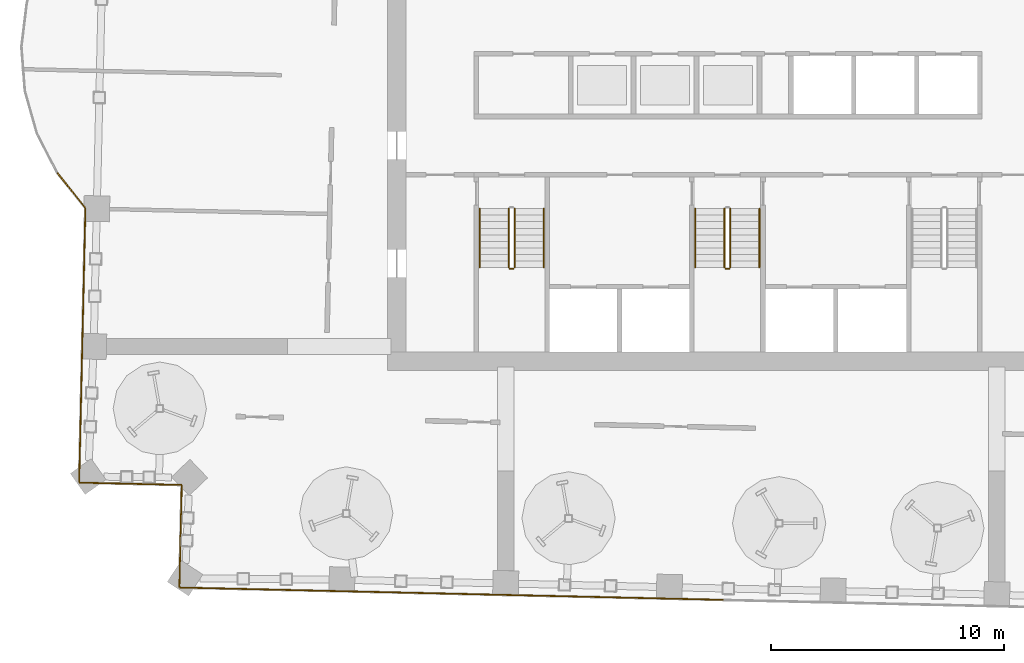
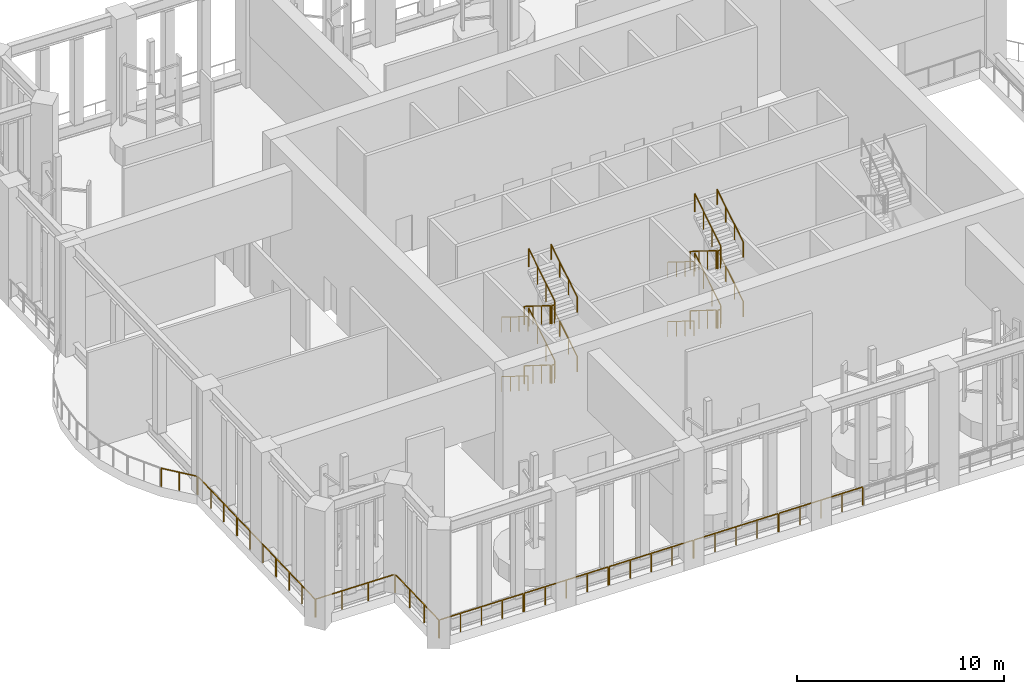
# One storey, part 28 of 33: 31 railings.
"""IFC4 building model written with IfcOpenShell, lengths in metres."""

from ifc_helpers import new_model, si_unit, direction, frame, origin, origin_2d, place, context, subcontext, project, spatial, rectangle, circle, extrude, material, type_object, element, save


model = new_model("IFC4")

# Units and contexts
model_context = context("Model", 3, precision=1e-05, world=origin(), true_north=direction((0.0, 1.0)))
body_context = subcontext(model_context, "Body", "Model", "MODEL_VIEW")
ifc_project = project(units=[si_unit("LENGTHUNIT", "METRE"), si_unit("AREAUNIT", "SQUARE_METRE"), si_unit("VOLUMEUNIT", "CUBIC_METRE"), si_unit("PLANEANGLEUNIT", "RADIAN"), si_unit("MASSUNIT", "GRAM", prefix="KILO")], contexts=[model_context])

# Site, building, storey
site_placement = place(None, origin())
site = spatial("IfcSite", under=ifc_project, at=site_placement, CompositionType="ELEMENT")
building_placement = place(site_placement, origin())
building = spatial("IfcBuilding", under=site, at=building_placement, Name="Mangrove Gate Tower", CompositionType="ELEMENT")
storey_placement = place(building_placement, frame((0.0, 0.0, 219.5)))
storey = spatial("IfcBuildingStorey", under=building, at=storey_placement, Name="L56", CompositionType="ELEMENT", Elevation=219.5)

# Railings
ifc_material_1 = material(Name="Stainless steel grade 316 with laminated glass infill", Category="steel")
railing_type_1 = type_object("IfcRailingType", Name="Balcony guard 1100", PredefinedType="GUARDRAIL", material=ifc_material_1)
railing_1_placement = place(storey_placement, frame((-28.7490234375, -3.135009765625, 0.0)))
element("IfcRailing", 1, at=railing_1_placement, inside=storey, type_object=railing_type_1, Name="GUARD L56 slot 38", PredefinedType="GUARDRAIL", context=body_context, shape_type="SweptSolid", body=[
    extrude(rectangle(XDim=0.048095703125, YDim=0.048095703125, at=origin_2d()), frame((0.0, 0.0, 1.076171875), z_axis=(0.625523169708, -0.780205590956, 0.0), x_axis=(0.780205590956, 0.625523169708, 0.0)), (0.0, 0.0, 1.0), 1.86865234375),
    extrude(rectangle(XDim=0.0419921875, YDim=0.0419921875, at=origin_2d()), origin(), (0.0, 0.0, 1.0), 1.052001953125),
    extrude(rectangle(XDim=0.0419921875, YDim=0.0419921875, at=origin_2d()), frame((0.58447265625, -0.72900390625, 0.0)), (0.0, 0.0, 1.0), 1.052001953125),
    extrude(rectangle(XDim=0.0419921875, YDim=0.0419921875, at=origin_2d()), frame((1.1689453125, -1.4580078125, 0.0)), (0.0, 0.0, 1.0), 1.052001953125),
])
railing_2_placement = place(storey_placement, frame((-27.56201171875, -4.64599609375, 0.0)))
element("IfcRailing", 2, at=railing_2_placement, inside=storey, type_object=railing_type_1, Name="GUARD L56 slot 39", PredefinedType="GUARDRAIL", context=body_context, shape_type="SweptSolid", body=[
    extrude(rectangle(XDim=0.048095703125, YDim=0.048095703125, at=origin_2d()), frame((0.0, 0.0, 1.076171875), z_axis=(-0.022464820913, -0.999747634066, 0.0), x_axis=(0.999747634066, -0.022464820913, 0.0)), (0.0, 0.0, 1.0), 3.868896484375),
    extrude(rectangle(XDim=0.0419921875, YDim=0.0419921875, at=origin_2d()), origin(), (0.0, 0.0, 1.0), 1.052001953125),
    extrude(rectangle(XDim=0.0419921875, YDim=0.0419921875, at=origin_2d()), frame((-0.029052734375, -1.289306640625, 0.0)), (0.0, 0.0, 1.0), 1.052001953125),
    extrude(rectangle(XDim=0.0419921875, YDim=0.0419921875, at=origin_2d()), frame((-0.057861328125, -2.57861328125, 0.0)), (0.0, 0.0, 1.0), 1.052001953125),
    extrude(rectangle(XDim=0.0419921875, YDim=0.0419921875, at=origin_2d()), frame((-0.0869140625, -3.867919921875, 0.0)), (0.0, 0.0, 1.0), 1.052001953125),
])
railing_3_placement = place(storey_placement, frame((-27.65087890625, -8.573974609375, 0.0)))
element("IfcRailing", 3, at=railing_3_placement, inside=storey, type_object=railing_type_1, Name="GUARD L56 slot 40", PredefinedType="GUARDRAIL", context=body_context, shape_type="SweptSolid", body=[
    extrude(rectangle(XDim=0.048095703125, YDim=0.048095703125, at=origin_2d()), frame((0.0, 0.0, 1.076171875), z_axis=(-0.022527892362, -0.999746214829, 0.0), x_axis=(0.999746214829, -0.022527892362, 0.0)), (0.0, 0.0, 1.0), 3.868896484375),
    extrude(rectangle(XDim=0.0419921875, YDim=0.0419921875, at=origin_2d()), origin(), (0.0, 0.0, 1.0), 1.052001953125),
    extrude(rectangle(XDim=0.0419921875, YDim=0.0419921875, at=origin_2d()), frame((-0.029052734375, -1.289306640625, 0.0)), (0.0, 0.0, 1.0), 1.052001953125),
    extrude(rectangle(XDim=0.0419921875, YDim=0.0419921875, at=origin_2d()), frame((-0.05810546875, -2.57861328125, 0.0)), (0.0, 0.0, 1.0), 1.052001953125),
    extrude(rectangle(XDim=0.0419921875, YDim=0.0419921875, at=origin_2d()), frame((-0.087158203125, -3.867919921875, 0.0)), (0.0, 0.0, 1.0), 1.052001953125),
])
railing_4_placement = place(storey_placement, frame((-27.739990234375, -12.501953125, 0.0)))
element("IfcRailing", 4, at=railing_4_placement, inside=storey, type_object=railing_type_1, Name="GUARD L56 slot 41", PredefinedType="GUARDRAIL", context=body_context, shape_type="SweptSolid", body=[
    extrude(rectangle(XDim=0.048095703125, YDim=0.048095703125, at=origin_2d()), frame((0.0, 0.0, 1.076171875), z_axis=(-0.022715672034, -0.999741965831, 0.0), x_axis=(0.999741965831, -0.022715672034, 0.0)), (0.0, 0.0, 1.0), 3.869140625),
    extrude(rectangle(XDim=0.0419921875, YDim=0.0419921875, at=origin_2d()), origin(), (0.0, 0.0, 1.0), 1.052001953125),
    extrude(rectangle(XDim=0.0419921875, YDim=0.0419921875, at=origin_2d()), frame((-0.029296875, -1.289306640625, 0.0)), (0.0, 0.0, 1.0), 1.052001953125),
    extrude(rectangle(XDim=0.0419921875, YDim=0.0419921875, at=origin_2d()), frame((-0.05859375, -2.578857421875, 0.0)), (0.0, 0.0, 1.0), 1.052001953125),
    extrude(rectangle(XDim=0.0419921875, YDim=0.0419921875, at=origin_2d()), frame((-0.087890625, -3.8681640625, 0.0)), (0.0, 0.0, 1.0), 1.052001953125),
])
railing_5_placement = place(storey_placement, frame((-27.798095703125, -16.39990234375, 0.0)))
element("IfcRailing", 5, at=railing_5_placement, inside=storey, type_object=railing_type_1, Name="GUARD L56 slot 42", PredefinedType="GUARDRAIL", context=body_context, shape_type="SweptSolid", body=[
    extrude(rectangle(XDim=0.048095703125, YDim=0.048095703125, at=origin_2d()), frame((0.0, 0.0, 1.076171875), z_axis=(0.999739186145, -0.02283768129, 0.0), x_axis=(0.02283768129, 0.999739186145, 0.0)), (0.0, 0.0, 1.0), 4.34033203125),
    extrude(rectangle(XDim=0.0419921875, YDim=0.0419921875, at=origin_2d()), origin(), (0.0, 0.0, 1.0), 1.052001953125),
    extrude(rectangle(XDim=0.0419921875, YDim=0.0419921875, at=origin_2d()), frame((1.4462890625, -0.032958984375, 0.0)), (0.0, 0.0, 1.0), 1.052001953125),
    extrude(rectangle(XDim=0.0419921875, YDim=0.0419921875, at=origin_2d()), frame((2.892822265625, -0.066162109375, 0.0)), (0.0, 0.0, 1.0), 1.052001953125),
    extrude(rectangle(XDim=0.0419921875, YDim=0.0419921875, at=origin_2d()), frame((4.339111328125, -0.09912109375, 0.0)), (0.0, 0.0, 1.0), 1.052001953125),
])
railing_6_placement = place(storey_placement, frame((-23.429931640625, -16.529052734375, 0.0)))
element("IfcRailing", 6, at=railing_6_placement, inside=storey, type_object=railing_type_1, Name="GUARD L56 slot 43", PredefinedType="GUARDRAIL", context=body_context, shape_type="SweptSolid", body=[
    extrude(rectangle(XDim=0.048095703125, YDim=0.048095703125, at=origin_2d()), frame((0.0, 0.0, 1.076171875), z_axis=(-0.022838965657, -0.999739156804, 0.0), x_axis=(0.999739156804, -0.022838965657, 0.0)), (0.0, 0.0, 1.0), 4.340087890625),
    extrude(rectangle(XDim=0.0419921875, YDim=0.0419921875, at=origin_2d()), origin(), (0.0, 0.0, 1.0), 1.052001953125),
    extrude(rectangle(XDim=0.0419921875, YDim=0.0419921875, at=origin_2d()), frame((-0.032958984375, -1.4462890625, 0.0)), (0.0, 0.0, 1.0), 1.052001953125),
    extrude(rectangle(XDim=0.0419921875, YDim=0.0419921875, at=origin_2d()), frame((-0.066162109375, -2.892578125, 0.0)), (0.0, 0.0, 1.0), 1.052001953125),
    extrude(rectangle(XDim=0.0419921875, YDim=0.0419921875, at=origin_2d()), frame((-0.09912109375, -4.3388671875, 0.0)), (0.0, 0.0, 1.0), 1.052001953125),
])
railing_7_placement = place(storey_placement, frame((-23.4990234375, -20.89892578125, 0.0)))
element("IfcRailing", 7, at=railing_7_placement, inside=storey, type_object=railing_type_1, Name="GUARD L56 slot 44", PredefinedType="GUARDRAIL", context=body_context, shape_type="SweptSolid", body=[
    extrude(rectangle(XDim=0.048095703125, YDim=0.048095703125, at=origin_2d()), frame((0.0, 0.0, 1.076171875), z_axis=(0.999740576097, -0.022776753615, 0.0), x_axis=(0.022776753615, 0.999740576097, 0.0)), (0.0, 0.0, 1.0), 4.609130859375),
    extrude(rectangle(XDim=0.0419921875, YDim=0.0419921875, at=origin_2d()), origin(), (0.0, 0.0, 1.0), 1.052001953125),
    extrude(rectangle(XDim=0.0419921875, YDim=0.0419921875, at=origin_2d()), frame((1.15185546875, -0.0263671875, 0.0)), (0.0, 0.0, 1.0), 1.052001953125),
    extrude(rectangle(XDim=0.0419921875, YDim=0.0419921875, at=origin_2d()), frame((2.303955078125, -0.052490234375, 0.0)), (0.0, 0.0, 1.0), 1.052001953125),
    extrude(rectangle(XDim=0.0419921875, YDim=0.0419921875, at=origin_2d()), frame((3.4560546875, -0.07861328125, 0.0)), (0.0, 0.0, 1.0), 1.052001953125),
    extrude(rectangle(XDim=0.0419921875, YDim=0.0419921875, at=origin_2d()), frame((4.60791015625, -0.10498046875, 0.0)), (0.0, 0.0, 1.0), 1.052001953125),
])
for number, where, name in (
    (8, (-18.8310546875, -21.0048828125, 0.0), "GUARD L56 slot 45"),
    (9, (-14.1630859375, -21.111083984375, 0.0), "GUARD L56 slot 46"),
    (10, (-9.4951171875, -21.217041015625, 0.0), "GUARD L56 slot 47"),
):
    element("IfcRailing", number, at=place(storey_placement, frame(where)), inside=storey, type_object=railing_type_1, Name=name, PredefinedType="GUARDRAIL", context=body_context, shape_type="SweptSolid", body=[
        extrude(rectangle(XDim=0.048095703125, YDim=0.048095703125, at=origin_2d()), frame((0.0, 0.0, 1.076171875), z_axis=(0.999745405274, -0.022563790339, 0.0), x_axis=(0.022563790339, 0.999745405274, 0.0)), (0.0, 0.0, 1.0), 4.609375),
        extrude(rectangle(XDim=0.0419921875, YDim=0.0419921875, at=origin_2d()), origin(), (0.0, 0.0, 1.0), 1.052001953125),
        extrude(rectangle(XDim=0.0419921875, YDim=0.0419921875, at=origin_2d()), frame((1.152099609375, -0.02587890625, 0.0)), (0.0, 0.0, 1.0), 1.052001953125),
        extrude(rectangle(XDim=0.0419921875, YDim=0.0419921875, at=origin_2d()), frame((2.30419921875, -0.052001953125, 0.0)), (0.0, 0.0, 1.0), 1.052001953125),
        extrude(rectangle(XDim=0.0419921875, YDim=0.0419921875, at=origin_2d()), frame((3.4560546875, -0.078125, 0.0)), (0.0, 0.0, 1.0), 1.052001953125),
        extrude(rectangle(XDim=0.0419921875, YDim=0.0419921875, at=origin_2d()), frame((4.608154296875, -0.10400390625, 0.0)), (0.0, 0.0, 1.0), 1.052001953125),
    ])
railing_8_placement = place(storey_placement, frame((-4.826904296875, -21.322998046875, 0.0)))
element("IfcRailing", 11, at=railing_8_placement, inside=storey, type_object=railing_type_1, Name="GUARD L56 slot 48", PredefinedType="GUARDRAIL", context=body_context, shape_type="SweptSolid", body=[
    extrude(rectangle(XDim=0.048095703125, YDim=0.048095703125, at=origin_2d()), frame((0.0, 0.0, 1.076171875), z_axis=(0.999745378305, -0.022564985226, 0.0), x_axis=(0.022564985226, 0.999745378305, 0.0)), (0.0, 0.0, 1.0), 4.609130859375),
    extrude(rectangle(XDim=0.0419921875, YDim=0.0419921875, at=origin_2d()), origin(), (0.0, 0.0, 1.0), 1.052001953125),
    extrude(rectangle(XDim=0.0419921875, YDim=0.0419921875, at=origin_2d()), frame((1.15185546875, -0.02587890625, 0.0)), (0.0, 0.0, 1.0), 1.052001953125),
    extrude(rectangle(XDim=0.0419921875, YDim=0.0419921875, at=origin_2d()), frame((2.303955078125, -0.052001953125, 0.0)), (0.0, 0.0, 1.0), 1.052001953125),
    extrude(rectangle(XDim=0.0419921875, YDim=0.0419921875, at=origin_2d()), frame((3.4560546875, -0.078125, 0.0)), (0.0, 0.0, 1.0), 1.052001953125),
    extrude(rectangle(XDim=0.0419921875, YDim=0.0419921875, at=origin_2d()), frame((4.60791015625, -0.10400390625, 0.0)), (0.0, 0.0, 1.0), 1.052001953125),
])
ifc_material_2 = material(Name="Stainless steel 316", Category="steel")
railing_type_2 = type_object("IfcRailingType", Name="Core stair guard 1100", PredefinedType="GUARDRAIL", material=ifc_material_2)
railing_9_placement = place(storey_placement, frame((-9.39990234375, -4.64990234375, 0.175048828125)))
element("IfcRailing", 12, at=railing_9_placement, inside=storey, type_object=railing_type_2, Name="L56 ST1 stair guard 1", PredefinedType="GUARDRAIL", context=body_context, shape_type="SweptSolid", body=[
    extrude(rectangle(XDim=0.048095703125, YDim=0.048095703125, at=origin_2d()), frame((0.0, 0.0, 1.076171875), z_axis=(0.0, -0.848007534815, 0.529984170421), x_axis=(1.0, 0.0, 0.0)), (0.0, 0.0, 1.0), 2.9716796875),
    extrude(rectangle(XDim=0.0419921875, YDim=0.0419921875, at=origin_2d()), origin(), (0.0, 0.0, 1.0), 1.052001953125),
    extrude(rectangle(XDim=0.0419921875, YDim=0.0419921875, at=origin_2d()), frame((0.0, -0.840087890625, 0.52490234375)), (0.0, 0.0, 1.0), 1.052001953125),
    extrude(rectangle(XDim=0.0419921875, YDim=0.0419921875, at=origin_2d()), frame((0.0, -1.679931640625, 1.050048828125)), (0.0, 0.0, 1.0), 1.052001953125),
    extrude(rectangle(XDim=0.0419921875, YDim=0.0419921875, at=origin_2d()), frame((0.0, -2.52001953125, 1.574951171875)), (0.0, 0.0, 1.0), 1.052001953125),
])
railing_10_placement = place(storey_placement, frame((-9.35009765625, -7.219970703125, 1.75)))
element("IfcRailing", 13, at=railing_10_placement, inside=storey, type_object=railing_type_2, Name="L56 ST1 stair guard 2", PredefinedType="GUARDRAIL", context=body_context, shape_type="SweptSolid", body=[
    extrude(rectangle(XDim=0.048095703125, YDim=0.048095703125, at=origin_2d()), frame((0.0, 0.0, 1.076171875), z_axis=(1.0, 0.0, 0.0), x_axis=(0.0, 1.0, 0.0)), (0.0, 0.0, 1.0), 0.150146484375),
    extrude(rectangle(XDim=0.0419921875, YDim=0.0419921875, at=origin_2d()), origin(), (0.0, 0.0, 1.0), 1.052001953125),
    extrude(rectangle(XDim=0.0419921875, YDim=0.0419921875, at=origin_2d()), frame((0.150146484375, 0.0, 0.0)), (0.0, 0.0, 1.0), 1.052001953125),
])
railing_11_placement = place(storey_placement, frame((-9.14990234375, -7.169921875, 1.925048828125)))
element("IfcRailing", 14, at=railing_11_placement, inside=storey, type_object=railing_type_2, Name="L56 ST1 stair guard 3", PredefinedType="GUARDRAIL", context=body_context, shape_type="SweptSolid", body=[
    extrude(rectangle(XDim=0.048095703125, YDim=0.048095703125, at=origin_2d()), frame((0.0, 0.0, 1.076171875), z_axis=(0.0, 0.848007534815, 0.529984170421), x_axis=(-1.0, 0.0, 0.0)), (0.0, 0.0, 1.0), 2.9716796875),
    extrude(rectangle(XDim=0.0419921875, YDim=0.0419921875, at=origin_2d()), origin(), (0.0, 0.0, 1.0), 1.052001953125),
    extrude(rectangle(XDim=0.0419921875, YDim=0.0419921875, at=origin_2d()), frame((0.0, 0.840087890625, 0.52490234375)), (0.0, 0.0, 1.0), 1.052001953125),
    extrude(rectangle(XDim=0.0419921875, YDim=0.0419921875, at=origin_2d()), frame((0.0, 1.679931640625, 1.050048828125)), (0.0, 0.0, 1.0), 1.052001953125),
    extrude(rectangle(XDim=0.0419921875, YDim=0.0419921875, at=origin_2d()), frame((0.0, 2.52001953125, 1.574951171875)), (0.0, 0.0, 1.0), 1.052001953125),
])
railing_12_placement = place(storey_placement, frame((-9.39990234375, -4.64990234375, 3.675048828125)))
element("IfcRailing", 15, at=railing_12_placement, inside=storey, type_object=railing_type_2, Name="L56 ST1 stair guard 5", PredefinedType="GUARDRAIL", context=body_context, shape_type="SweptSolid", body=[
    extrude(rectangle(XDim=0.048095703125, YDim=0.048095703125, at=origin_2d()), frame((0.0, 0.0, 1.076171875), z_axis=(0.0, -0.848007534815, 0.529984170421), x_axis=(1.0, 0.0, 0.0)), (0.0, 0.0, 1.0), 2.9716796875),
    extrude(rectangle(XDim=0.0419921875, YDim=0.0419921875, at=origin_2d()), origin(), (0.0, 0.0, 1.0), 1.052001953125),
    extrude(rectangle(XDim=0.0419921875, YDim=0.0419921875, at=origin_2d()), frame((0.0, -0.840087890625, 0.52490234375)), (0.0, 0.0, 1.0), 1.052001953125),
    extrude(rectangle(XDim=0.0419921875, YDim=0.0419921875, at=origin_2d()), frame((0.0, -1.679931640625, 1.050048828125)), (0.0, 0.0, 1.0), 1.052001953125),
    extrude(rectangle(XDim=0.0419921875, YDim=0.0419921875, at=origin_2d()), frame((0.0, -2.52001953125, 1.574951171875)), (0.0, 0.0, 1.0), 1.052001953125),
])
railing_13_placement = place(storey_placement, frame((-9.35009765625, -7.219970703125, 5.25)))
element("IfcRailing", 16, at=railing_13_placement, inside=storey, type_object=railing_type_2, Name="L56 ST1 stair guard 6", PredefinedType="GUARDRAIL", context=body_context, shape_type="SweptSolid", body=[
    extrude(rectangle(XDim=0.048095703125, YDim=0.048095703125, at=origin_2d()), frame((0.0, 0.0, 1.076171875), z_axis=(1.0, 0.0, 0.0), x_axis=(0.0, 1.0, 0.0)), (0.0, 0.0, 1.0), 0.150146484375),
    extrude(rectangle(XDim=0.0419921875, YDim=0.0419921875, at=origin_2d()), origin(), (0.0, 0.0, 1.0), 1.052001953125),
    extrude(rectangle(XDim=0.0419921875, YDim=0.0419921875, at=origin_2d()), frame((0.150146484375, 0.0, 0.0)), (0.0, 0.0, 1.0), 1.052001953125),
])
railing_14_placement = place(storey_placement, frame((-9.14990234375, -7.169921875, 5.425048828125)))
element("IfcRailing", 17, at=railing_14_placement, inside=storey, type_object=railing_type_2, Name="L56 ST1 stair guard 7", PredefinedType="GUARDRAIL", context=body_context, shape_type="SweptSolid", body=[
    extrude(rectangle(XDim=0.048095703125, YDim=0.048095703125, at=origin_2d()), frame((0.0, 0.0, 1.076171875), z_axis=(0.0, 0.848007534815, 0.529984170421), x_axis=(-1.0, 0.0, 0.0)), (0.0, 0.0, 1.0), 2.9716796875),
    extrude(rectangle(XDim=0.0419921875, YDim=0.0419921875, at=origin_2d()), origin(), (0.0, 0.0, 1.0), 1.052001953125),
    extrude(rectangle(XDim=0.0419921875, YDim=0.0419921875, at=origin_2d()), frame((0.0, 0.840087890625, 0.52490234375)), (0.0, 0.0, 1.0), 1.052001953125),
    extrude(rectangle(XDim=0.0419921875, YDim=0.0419921875, at=origin_2d()), frame((0.0, 1.679931640625, 1.050048828125)), (0.0, 0.0, 1.0), 1.052001953125),
    extrude(rectangle(XDim=0.0419921875, YDim=0.0419921875, at=origin_2d()), frame((0.0, 2.52001953125, 1.574951171875)), (0.0, 0.0, 1.0), 1.052001953125),
])
railing_15_placement = place(storey_placement, frame((-0.14990234375, -4.64990234375, 0.175048828125)))
element("IfcRailing", 18, at=railing_15_placement, inside=storey, type_object=railing_type_2, Name="L56 ST2 stair guard 1", PredefinedType="GUARDRAIL", context=body_context, shape_type="SweptSolid", body=[
    extrude(rectangle(XDim=0.048095703125, YDim=0.048095703125, at=origin_2d()), frame((0.0, 0.0, 1.076171875), z_axis=(0.0, -0.848007534815, 0.529984170421), x_axis=(1.0, 0.0, 0.0)), (0.0, 0.0, 1.0), 2.9716796875),
    extrude(rectangle(XDim=0.0419921875, YDim=0.0419921875, at=origin_2d()), origin(), (0.0, 0.0, 1.0), 1.052001953125),
    extrude(rectangle(XDim=0.0419921875, YDim=0.0419921875, at=origin_2d()), frame((0.0, -0.840087890625, 0.52490234375)), (0.0, 0.0, 1.0), 1.052001953125),
    extrude(rectangle(XDim=0.0419921875, YDim=0.0419921875, at=origin_2d()), frame((0.0, -1.679931640625, 1.050048828125)), (0.0, 0.0, 1.0), 1.052001953125),
    extrude(rectangle(XDim=0.0419921875, YDim=0.0419921875, at=origin_2d()), frame((0.0, -2.52001953125, 1.574951171875)), (0.0, 0.0, 1.0), 1.052001953125),
])
railing_16_placement = place(storey_placement, frame((-0.10009765625, -7.219970703125, 1.75)))
element("IfcRailing", 19, at=railing_16_placement, inside=storey, type_object=railing_type_2, Name="L56 ST2 stair guard 2", PredefinedType="GUARDRAIL", context=body_context, shape_type="SweptSolid", body=[
    extrude(rectangle(XDim=0.048095703125, YDim=0.048095703125, at=origin_2d()), frame((0.0, 0.0, 1.076171875), z_axis=(1.0, 0.0, 0.0), x_axis=(0.0, 1.0, 0.0)), (0.0, 0.0, 1.0), 0.150146484375),
    extrude(rectangle(XDim=0.0419921875, YDim=0.0419921875, at=origin_2d()), origin(), (0.0, 0.0, 1.0), 1.052001953125),
    extrude(rectangle(XDim=0.0419921875, YDim=0.0419921875, at=origin_2d()), frame((0.150146484375, 0.0, 0.0)), (0.0, 0.0, 1.0), 1.052001953125),
])
railing_17_placement = place(storey_placement, frame((0.10009765625, -7.169921875, 1.925048828125)))
element("IfcRailing", 20, at=railing_17_placement, inside=storey, type_object=railing_type_2, Name="L56 ST2 stair guard 3", PredefinedType="GUARDRAIL", context=body_context, shape_type="SweptSolid", body=[
    extrude(rectangle(XDim=0.048095703125, YDim=0.048095703125, at=origin_2d()), frame((0.0, 0.0, 1.076171875), z_axis=(0.0, 0.848007534815, 0.529984170421), x_axis=(-1.0, 0.0, 0.0)), (0.0, 0.0, 1.0), 2.9716796875),
    extrude(rectangle(XDim=0.0419921875, YDim=0.0419921875, at=origin_2d()), origin(), (0.0, 0.0, 1.0), 1.052001953125),
    extrude(rectangle(XDim=0.0419921875, YDim=0.0419921875, at=origin_2d()), frame((0.0, 0.840087890625, 0.52490234375)), (0.0, 0.0, 1.0), 1.052001953125),
    extrude(rectangle(XDim=0.0419921875, YDim=0.0419921875, at=origin_2d()), frame((0.0, 1.679931640625, 1.050048828125)), (0.0, 0.0, 1.0), 1.052001953125),
    extrude(rectangle(XDim=0.0419921875, YDim=0.0419921875, at=origin_2d()), frame((0.0, 2.52001953125, 1.574951171875)), (0.0, 0.0, 1.0), 1.052001953125),
])
railing_18_placement = place(storey_placement, frame((-0.14990234375, -4.64990234375, 3.675048828125)))
element("IfcRailing", 21, at=railing_18_placement, inside=storey, type_object=railing_type_2, Name="L56 ST2 stair guard 5", PredefinedType="GUARDRAIL", context=body_context, shape_type="SweptSolid", body=[
    extrude(rectangle(XDim=0.048095703125, YDim=0.048095703125, at=origin_2d()), frame((0.0, 0.0, 1.076171875), z_axis=(0.0, -0.848007534815, 0.529984170421), x_axis=(1.0, 0.0, 0.0)), (0.0, 0.0, 1.0), 2.9716796875),
    extrude(rectangle(XDim=0.0419921875, YDim=0.0419921875, at=origin_2d()), origin(), (0.0, 0.0, 1.0), 1.052001953125),
    extrude(rectangle(XDim=0.0419921875, YDim=0.0419921875, at=origin_2d()), frame((0.0, -0.840087890625, 0.52490234375)), (0.0, 0.0, 1.0), 1.052001953125),
    extrude(rectangle(XDim=0.0419921875, YDim=0.0419921875, at=origin_2d()), frame((0.0, -1.679931640625, 1.050048828125)), (0.0, 0.0, 1.0), 1.052001953125),
    extrude(rectangle(XDim=0.0419921875, YDim=0.0419921875, at=origin_2d()), frame((0.0, -2.52001953125, 1.574951171875)), (0.0, 0.0, 1.0), 1.052001953125),
])
railing_19_placement = place(storey_placement, frame((-0.10009765625, -7.219970703125, 5.25)))
element("IfcRailing", 22, at=railing_19_placement, inside=storey, type_object=railing_type_2, Name="L56 ST2 stair guard 6", PredefinedType="GUARDRAIL", context=body_context, shape_type="SweptSolid", body=[
    extrude(rectangle(XDim=0.048095703125, YDim=0.048095703125, at=origin_2d()), frame((0.0, 0.0, 1.076171875), z_axis=(1.0, 0.0, 0.0), x_axis=(0.0, 1.0, 0.0)), (0.0, 0.0, 1.0), 0.150146484375),
    extrude(rectangle(XDim=0.0419921875, YDim=0.0419921875, at=origin_2d()), origin(), (0.0, 0.0, 1.0), 1.052001953125),
    extrude(rectangle(XDim=0.0419921875, YDim=0.0419921875, at=origin_2d()), frame((0.150146484375, 0.0, 0.0)), (0.0, 0.0, 1.0), 1.052001953125),
])
railing_20_placement = place(storey_placement, frame((0.10009765625, -7.169921875, 5.425048828125)))
element("IfcRailing", 23, at=railing_20_placement, inside=storey, type_object=railing_type_2, Name="L56 ST2 stair guard 7", PredefinedType="GUARDRAIL", context=body_context, shape_type="SweptSolid", body=[
    extrude(rectangle(XDim=0.048095703125, YDim=0.048095703125, at=origin_2d()), frame((0.0, 0.0, 1.076171875), z_axis=(0.0, 0.848007534815, 0.529984170421), x_axis=(-1.0, 0.0, 0.0)), (0.0, 0.0, 1.0), 2.9716796875),
    extrude(rectangle(XDim=0.0419921875, YDim=0.0419921875, at=origin_2d()), origin(), (0.0, 0.0, 1.0), 1.052001953125),
    extrude(rectangle(XDim=0.0419921875, YDim=0.0419921875, at=origin_2d()), frame((0.0, 0.840087890625, 0.52490234375)), (0.0, 0.0, 1.0), 1.052001953125),
    extrude(rectangle(XDim=0.0419921875, YDim=0.0419921875, at=origin_2d()), frame((0.0, 1.679931640625, 1.050048828125)), (0.0, 0.0, 1.0), 1.052001953125),
    extrude(rectangle(XDim=0.0419921875, YDim=0.0419921875, at=origin_2d()), frame((0.0, 2.52001953125, 1.574951171875)), (0.0, 0.0, 1.0), 1.052001953125),
])
ifc_material_3 = material(Name="Stainless steel 316", Category="steel")
railing_type_3 = type_object("IfcRailingType", Name="Core stair handrail 900", PredefinedType="HANDRAIL", material=ifc_material_3)
railing_21_placement = place(storey_placement, frame((-10.64990234375, -4.64990234375, 0.175048828125)))
element("IfcRailing", 24, at=railing_21_placement, inside=storey, type_object=railing_type_3, Name="L56 ST1 stair handrail 1", PredefinedType="HANDRAIL", context=body_context, shape_type="SweptSolid", body=[
    extrude(circle(Radius=0.02392578125, at=origin_2d()), frame((0.0, 0.0, 0.8759765625), z_axis=(0.0, -0.848007534815, 0.529984170421), x_axis=(1.0, 0.0, 0.0)), (0.0, 0.0, 1.0), 2.9716796875),
    extrude(circle(Radius=0.02099609375, at=origin_2d()), origin(), (0.0, 0.0, 1.0), 0.851806640625),
    extrude(circle(Radius=0.02099609375, at=origin_2d()), frame((0.0, -0.840087890625, 0.52490234375)), (0.0, 0.0, 1.0), 0.851806640625),
    extrude(circle(Radius=0.02099609375, at=origin_2d()), frame((0.0, -1.679931640625, 1.050048828125)), (0.0, 0.0, 1.0), 0.851806640625),
    extrude(circle(Radius=0.02099609375, at=origin_2d()), frame((0.0, -2.52001953125, 1.574951171875)), (0.0, 0.0, 1.0), 0.851806640625),
])
railing_22_placement = place(storey_placement, frame((-7.89990234375, -7.169921875, 1.925048828125)))
element("IfcRailing", 25, at=railing_22_placement, inside=storey, type_object=railing_type_3, Name="L56 ST1 stair handrail 2", PredefinedType="HANDRAIL", context=body_context, shape_type="SweptSolid", body=[
    extrude(circle(Radius=0.02392578125, at=origin_2d()), frame((0.0, 0.0, 0.8759765625), z_axis=(0.0, 0.848007534815, 0.529984170421), x_axis=(-1.0, 0.0, 0.0)), (0.0, 0.0, 1.0), 2.9716796875),
    extrude(circle(Radius=0.02099609375, at=origin_2d()), origin(), (0.0, 0.0, 1.0), 0.851806640625),
    extrude(circle(Radius=0.02099609375, at=origin_2d()), frame((0.0, 0.840087890625, 0.52490234375)), (0.0, 0.0, 1.0), 0.851806640625),
    extrude(circle(Radius=0.02099609375, at=origin_2d()), frame((0.0, 1.679931640625, 1.050048828125)), (0.0, 0.0, 1.0), 0.851806640625),
    extrude(circle(Radius=0.02099609375, at=origin_2d()), frame((0.0, 2.52001953125, 1.574951171875)), (0.0, 0.0, 1.0), 0.851806640625),
])
railing_23_placement = place(storey_placement, frame((-10.64990234375, -4.64990234375, 3.675048828125)))
element("IfcRailing", 26, at=railing_23_placement, inside=storey, type_object=railing_type_3, Name="L56 ST1 stair handrail 3", PredefinedType="HANDRAIL", context=body_context, shape_type="SweptSolid", body=[
    extrude(circle(Radius=0.02392578125, at=origin_2d()), frame((0.0, 0.0, 0.8759765625), z_axis=(0.0, -0.848007534815, 0.529984170421), x_axis=(1.0, 0.0, 0.0)), (0.0, 0.0, 1.0), 2.9716796875),
    extrude(circle(Radius=0.02099609375, at=origin_2d()), origin(), (0.0, 0.0, 1.0), 0.851806640625),
    extrude(circle(Radius=0.02099609375, at=origin_2d()), frame((0.0, -0.840087890625, 0.52490234375)), (0.0, 0.0, 1.0), 0.851806640625),
    extrude(circle(Radius=0.02099609375, at=origin_2d()), frame((0.0, -1.679931640625, 1.050048828125)), (0.0, 0.0, 1.0), 0.851806640625),
    extrude(circle(Radius=0.02099609375, at=origin_2d()), frame((0.0, -2.52001953125, 1.574951171875)), (0.0, 0.0, 1.0), 0.851806640625),
])
railing_24_placement = place(storey_placement, frame((-7.89990234375, -7.169921875, 5.425048828125)))
element("IfcRailing", 27, at=railing_24_placement, inside=storey, type_object=railing_type_3, Name="L56 ST1 stair handrail 4", PredefinedType="HANDRAIL", context=body_context, shape_type="SweptSolid", body=[
    extrude(circle(Radius=0.02392578125, at=origin_2d()), frame((0.0, 0.0, 0.8759765625), z_axis=(0.0, 0.848007534815, 0.529984170421), x_axis=(-1.0, 0.0, 0.0)), (0.0, 0.0, 1.0), 2.9716796875),
    extrude(circle(Radius=0.02099609375, at=origin_2d()), origin(), (0.0, 0.0, 1.0), 0.851806640625),
    extrude(circle(Radius=0.02099609375, at=origin_2d()), frame((0.0, 0.840087890625, 0.52490234375)), (0.0, 0.0, 1.0), 0.851806640625),
    extrude(circle(Radius=0.02099609375, at=origin_2d()), frame((0.0, 1.679931640625, 1.050048828125)), (0.0, 0.0, 1.0), 0.851806640625),
    extrude(circle(Radius=0.02099609375, at=origin_2d()), frame((0.0, 2.52001953125, 1.574951171875)), (0.0, 0.0, 1.0), 0.851806640625),
])
railing_25_placement = place(storey_placement, frame((-1.39990234375, -4.64990234375, 0.175048828125)))
element("IfcRailing", 28, at=railing_25_placement, inside=storey, type_object=railing_type_3, Name="L56 ST2 stair handrail 1", PredefinedType="HANDRAIL", context=body_context, shape_type="SweptSolid", body=[
    extrude(circle(Radius=0.02392578125, at=origin_2d()), frame((0.0, 0.0, 0.8759765625), z_axis=(0.0, -0.848007534815, 0.529984170421), x_axis=(1.0, 0.0, 0.0)), (0.0, 0.0, 1.0), 2.9716796875),
    extrude(circle(Radius=0.02099609375, at=origin_2d()), origin(), (0.0, 0.0, 1.0), 0.851806640625),
    extrude(circle(Radius=0.02099609375, at=origin_2d()), frame((0.0, -0.840087890625, 0.52490234375)), (0.0, 0.0, 1.0), 0.851806640625),
    extrude(circle(Radius=0.02099609375, at=origin_2d()), frame((0.0, -1.679931640625, 1.050048828125)), (0.0, 0.0, 1.0), 0.851806640625),
    extrude(circle(Radius=0.02099609375, at=origin_2d()), frame((0.0, -2.52001953125, 1.574951171875)), (0.0, 0.0, 1.0), 0.851806640625),
])
railing_26_placement = place(storey_placement, frame((1.35009765625, -7.169921875, 1.925048828125)))
element("IfcRailing", 29, at=railing_26_placement, inside=storey, type_object=railing_type_3, Name="L56 ST2 stair handrail 2", PredefinedType="HANDRAIL", context=body_context, shape_type="SweptSolid", body=[
    extrude(circle(Radius=0.02392578125, at=origin_2d()), frame((0.0, 0.0, 0.8759765625), z_axis=(0.0, 0.848007534815, 0.529984170421), x_axis=(-1.0, 0.0, 0.0)), (0.0, 0.0, 1.0), 2.9716796875),
    extrude(circle(Radius=0.02099609375, at=origin_2d()), origin(), (0.0, 0.0, 1.0), 0.851806640625),
    extrude(circle(Radius=0.02099609375, at=origin_2d()), frame((0.0, 0.840087890625, 0.52490234375)), (0.0, 0.0, 1.0), 0.851806640625),
    extrude(circle(Radius=0.02099609375, at=origin_2d()), frame((0.0, 1.679931640625, 1.050048828125)), (0.0, 0.0, 1.0), 0.851806640625),
    extrude(circle(Radius=0.02099609375, at=origin_2d()), frame((0.0, 2.52001953125, 1.574951171875)), (0.0, 0.0, 1.0), 0.851806640625),
])
railing_27_placement = place(storey_placement, frame((-1.39990234375, -4.64990234375, 3.675048828125)))
element("IfcRailing", 30, at=railing_27_placement, inside=storey, type_object=railing_type_3, Name="L56 ST2 stair handrail 3", PredefinedType="HANDRAIL", context=body_context, shape_type="SweptSolid", body=[
    extrude(circle(Radius=0.02392578125, at=origin_2d()), frame((0.0, 0.0, 0.8759765625), z_axis=(0.0, -0.848007534815, 0.529984170421), x_axis=(1.0, 0.0, 0.0)), (0.0, 0.0, 1.0), 2.9716796875),
    extrude(circle(Radius=0.02099609375, at=origin_2d()), origin(), (0.0, 0.0, 1.0), 0.851806640625),
    extrude(circle(Radius=0.02099609375, at=origin_2d()), frame((0.0, -0.840087890625, 0.52490234375)), (0.0, 0.0, 1.0), 0.851806640625),
    extrude(circle(Radius=0.02099609375, at=origin_2d()), frame((0.0, -1.679931640625, 1.050048828125)), (0.0, 0.0, 1.0), 0.851806640625),
    extrude(circle(Radius=0.02099609375, at=origin_2d()), frame((0.0, -2.52001953125, 1.574951171875)), (0.0, 0.0, 1.0), 0.851806640625),
])
railing_28_placement = place(storey_placement, frame((1.35009765625, -7.169921875, 5.425048828125)))
element("IfcRailing", 31, at=railing_28_placement, inside=storey, type_object=railing_type_3, Name="L56 ST2 stair handrail 4", PredefinedType="HANDRAIL", context=body_context, shape_type="SweptSolid", body=[
    extrude(circle(Radius=0.02392578125, at=origin_2d()), frame((0.0, 0.0, 0.8759765625), z_axis=(0.0, 0.848007534815, 0.529984170421), x_axis=(-1.0, 0.0, 0.0)), (0.0, 0.0, 1.0), 2.9716796875),
    extrude(circle(Radius=0.02099609375, at=origin_2d()), origin(), (0.0, 0.0, 1.0), 0.851806640625),
    extrude(circle(Radius=0.02099609375, at=origin_2d()), frame((0.0, 0.840087890625, 0.52490234375)), (0.0, 0.0, 1.0), 0.851806640625),
    extrude(circle(Radius=0.02099609375, at=origin_2d()), frame((0.0, 1.679931640625, 1.050048828125)), (0.0, 0.0, 1.0), 0.851806640625),
    extrude(circle(Radius=0.02099609375, at=origin_2d()), frame((0.0, 2.52001953125, 1.574951171875)), (0.0, 0.0, 1.0), 0.851806640625),
])

save(model, "model.ifc")
